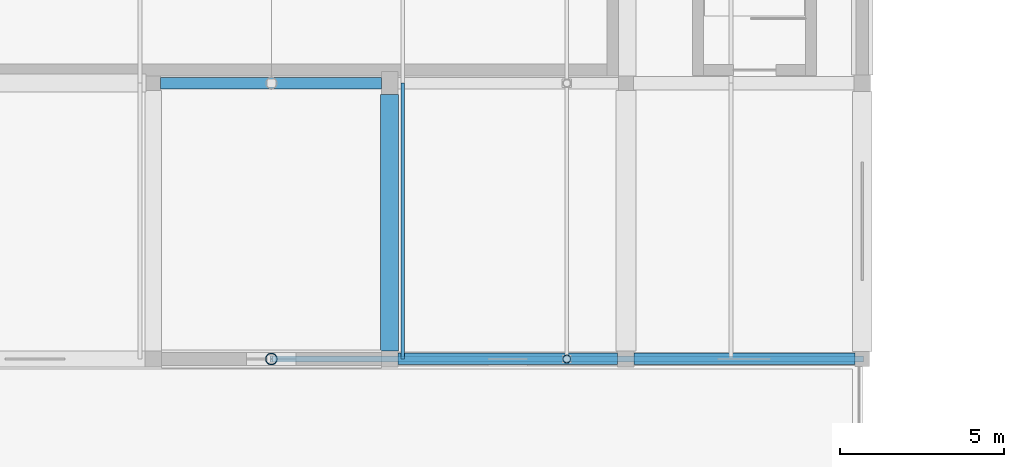
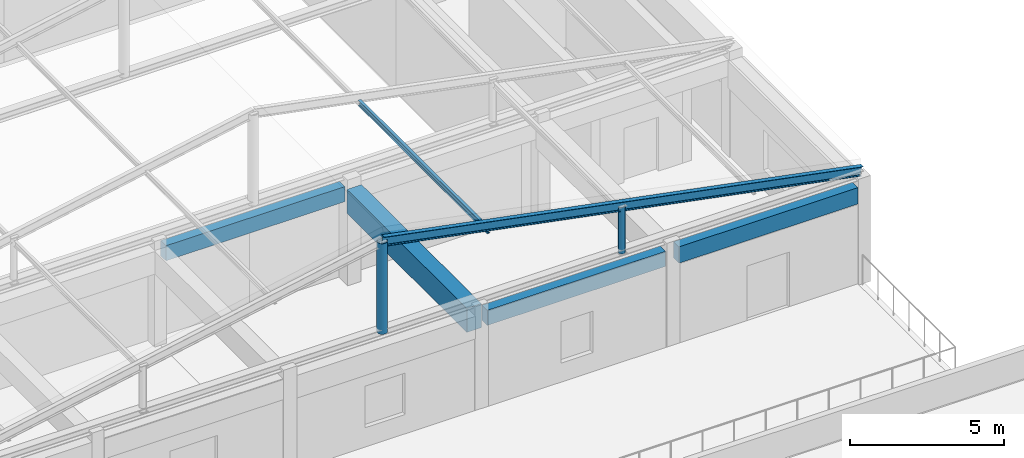
# One storey, part 38 of 74: 4 beams, 4 members.
"""IFC4 building model written with IfcOpenShell, lengths in metres."""

from ifc_helpers import new_model, si_unit, direction, frame, origin, origin_2d, place, context, subcontext, project, spatial, rectangle, hollow_circle, i_section, extrude, material, material_profile, profile_set, type_object, element, save


model = new_model("IFC4")

# Units and contexts
model_context = context("Model", 3, precision=1e-05, world=origin(), true_north=direction((0.0, 1.0)))
body_context = subcontext(model_context, "Body", "Model", "MODEL_VIEW")
ifc_project = project(units=[si_unit("LENGTHUNIT", "METRE"), si_unit("AREAUNIT", "SQUARE_METRE"), si_unit("VOLUMEUNIT", "CUBIC_METRE"), si_unit("PLANEANGLEUNIT", "RADIAN"), si_unit("MASSUNIT", "GRAM", prefix="KILO")], contexts=[model_context])

# Site, building, storey
site_placement = place(None, origin())
site = spatial("IfcSite", under=ifc_project, at=site_placement, CompositionType="ELEMENT")
building_placement = place(site_placement, origin())
building = spatial("IfcBuilding", under=site, at=building_placement, Name="Korsvaeld Concert Hall", CompositionType="ELEMENT")
storey_placement = place(building_placement, frame((0.0, 0.0, 9.0)))
storey = spatial("IfcBuildingStorey", under=building, at=storey_placement, Name="L02", CompositionType="ELEMENT", Elevation=9.0)

# Beams
ifc_material_1 = material(Name="Concrete C35/45", Category="concrete")
ifc_material_profile_1 = material_profile(ifc_material_1, rectangle(XDim=0.35009765625, YDim=0.60009765625, at=origin_2d()), Name="RC 350x600")
ifc_profile_set_1 = profile_set([ifc_material_profile_1], Name="Concrete C35/45")
beam_type_1 = type_object("IfcBeamType", Name="BM-RC-350x600", PredefinedType="T_BEAM", material=ifc_profile_set_1)
beam_1_placement = place(storey_placement, frame((139.449951171875, 43.199951171875, 3.5400390625), z_axis=(1.0, 0.0, 0.0), x_axis=(0.0, 1.0, 0.0)))
element("IfcBeam", 1, at=beam_1_placement, inside=storey, type_object=beam_type_1, Name="Primary girder 19-20/G L02", PredefinedType="T_BEAM", context=body_context, shape_type="SweptSolid", body=[
    extrude(rectangle(XDim=0.35009765625, YDim=0.60009765625, at=origin_2d()), origin(), (0.0, 0.0, 1.0), 6.699951171875),
])
beam_2_placement = place(storey_placement, frame((132.22509765625, 51.60009765625, 3.5400390625), z_axis=(1.0, 0.0, 0.0), x_axis=(0.0, 1.0, 0.0)))
element("IfcBeam", 2, at=beam_2_placement, inside=storey, type_object=beam_type_1, Name="Primary girder 18-19/H L02", PredefinedType="T_BEAM", context=body_context, shape_type="SweptSolid", body=[
    extrude(rectangle(XDim=0.35009765625, YDim=0.60009765625, at=origin_2d()), origin(), (0.0, 0.0, 1.0), 6.724853515625),
])
ifc_material_profile_2 = material_profile(ifc_material_1, rectangle(XDim=0.35009765625, YDim=0.64990234375, at=origin_2d()), Name="RC 350x650")
ifc_profile_set_2 = profile_set([ifc_material_profile_2], Name="Concrete C35/45")
beam_type_2 = type_object("IfcBeamType", Name="BM-RC-350x650", PredefinedType="T_BEAM", material=ifc_profile_set_2)
beam_3_placement = place(storey_placement, frame((146.64990234375, 43.199951171875, 3.514892578125), z_axis=(1.0, 0.0, 0.0), x_axis=(0.0, 1.0, 0.0)))
element("IfcBeam", 3, at=beam_3_placement, inside=storey, type_object=beam_type_2, Name="Primary girder 20-21/G L02", PredefinedType="T_BEAM", context=body_context, shape_type="SweptSolid", body=[
    extrude(rectangle(XDim=0.35009765625, YDim=0.64990234375, at=origin_2d()), origin(), (0.0, 0.0, 1.0), 6.72509765625),
])
ifc_material_2 = material(Name="Concrete C40/50", Category="concrete")
ifc_material_profile_3 = material_profile(ifc_material_2, rectangle(XDim=0.550048828125, YDim=0.949951171875, at=origin_2d()), Name="RC 550x950")
ifc_profile_set_3 = profile_set([ifc_material_profile_3], Name="Concrete C40/50")
beam_type_3 = type_object("IfcBeamType", Name="BM-RC-550x950", PredefinedType="T_BEAM", material=ifc_profile_set_3)
beam_4_placement = place(storey_placement, frame((139.199951171875, 43.449951171875, 3.364990234375), z_axis=(0.0, 1.0, 0.0), x_axis=(-1.0, 0.0, 0.0)))
element("IfcBeam", 4, at=beam_4_placement, inside=storey, type_object=beam_type_3, Name="Primary girder 19/G-H L02", PredefinedType="T_BEAM", context=body_context, shape_type="SweptSolid", body=[
    extrude(rectangle(XDim=0.550048828125, YDim=0.949951171875, at=origin_2d()), origin(), (0.0, 0.0, 1.0), 7.800048828125),
])

# Members
ifc_material_3 = material(Name="Steel S355J2", Category="steel")
ifc_material_profile_4 = material_profile(ifc_material_3, i_section(OverallWidth=0.110107421875, OverallDepth=0.219970703125, WebThickness=0.005859375, FlangeThickness=0.00927734375, FilletRadius=0.011962890625, at=origin_2d()), Name="IPE 220")
ifc_profile_set_4 = profile_set([ifc_material_profile_4], Name="Steel S355J2")
member_type_1 = type_object("IfcMemberType", Name="MEM-PUR-IPE220", PredefinedType="PURLIN", material=ifc_profile_set_4)
member_1_placement = place(storey_placement, frame((139.60009765625, 43.199951171875, 6.85009765625), z_axis=(0.0, 1.0, 0.0), x_axis=(-1.0, 0.0, 0.0)))
element("IfcMember", 5, at=member_1_placement, inside=storey, type_object=member_type_1, Name="Chamber Hall roof purlin 139.1", PredefinedType="PURLIN", context=body_context, shape_type="SweptSolid", body=[
    extrude(i_section(OverallWidth=0.110107421875, OverallDepth=0.219970703125, WebThickness=0.005859375, FlangeThickness=0.00927734375, FilletRadius=0.011962890625, at=origin_2d()), origin(), (0.0, 0.0, 1.0), 8.400146484375),
])
ifc_material_profile_5 = material_profile(ifc_material_3, i_section(OverallWidth=0.169921875, OverallDepth=0.360107421875, WebThickness=0.008056640625, FlangeThickness=0.0126953125, FilletRadius=0.01806640625, at=origin_2d()), Name="IPE 360")
ifc_profile_set_5 = profile_set([ifc_material_profile_5], Name="Steel S355J2")
member_type_2 = type_object("IfcMemberType", Name="MEM-RAF-IPE360", PredefinedType="RAFTER", material=ifc_profile_set_5)
member_2_placement = place(storey_placement, frame((153.60009765625, 43.199951171875, 4.35009765625), z_axis=(-0.981615389669, 0.0, 0.190869659102), x_axis=(0.0, -1.0, 0.0)))
element("IfcMember", 6, at=member_2_placement, inside=storey, type_object=member_type_2, Name="Chamber Hall east pitched rafter 1", PredefinedType="RAFTER", context=body_context, shape_type="SweptSolid", body=[
    extrude(i_section(OverallWidth=0.169921875, OverallDepth=0.360107421875, WebThickness=0.008056640625, FlangeThickness=0.0126953125, FilletRadius=0.01806640625, at=origin_2d()), origin(), (0.0, 0.0, 1.0), 18.337158203125),
])
ifc_material_profile_6 = material_profile(ifc_material_3, hollow_circle(Radius=0.122314453125, WallThickness=0.012451171875, at=origin_2d()), Name="CHS 244.5x12.5")
ifc_profile_set_6 = profile_set([ifc_material_profile_6], Name="Steel S355J2")
member_type_3 = type_object("IfcMemberType", Name="MEM-STR-CHS244", PredefinedType="STRUT", material=ifc_profile_set_6)
member_3_placement = place(storey_placement, frame((144.60009765625, 43.199951171875, 4.25), z_axis=(0.0, 0.0, 1.0), x_axis=(1.0, 0.0, 0.0)))
element("IfcMember", 7, at=member_3_placement, inside=storey, type_object=member_type_3, Name="Chamber Hall truss web 1.144", PredefinedType="STRUT", context=body_context, shape_type="SweptSolid", body=[
    extrude(hollow_circle(Radius=0.122314453125, WallThickness=0.012451171875, at=origin_2d()), origin(), (0.0, 0.0, 1.0), 1.85009765625),
])
ifc_material_profile_7 = material_profile(ifc_material_3, hollow_circle(Radius=0.177734375, WallThickness=0.01611328125, at=origin_2d()), Name="CHS 355.6x16")
ifc_profile_set_7 = profile_set([ifc_material_profile_7], Name="Steel S355J2")
member_type_4 = type_object("IfcMemberType", Name="MEM-STR-CHS355", PredefinedType="STRUT", material=ifc_profile_set_7)
member_4_placement = place(storey_placement, frame((135.60009765625, 43.199951171875, 4.25), z_axis=(0.0, 0.0, 1.0), x_axis=(1.0, 0.0, 0.0)))
element("IfcMember", 8, at=member_4_placement, inside=storey, type_object=member_type_4, Name="Chamber Hall truss web 1.135", PredefinedType="STRUT", context=body_context, shape_type="SweptSolid", body=[
    extrude(hollow_circle(Radius=0.177734375, WallThickness=0.01611328125, at=origin_2d()), origin(), (0.0, 0.0, 1.0), 3.60009765625),
])

save(model, "model.ifc")
